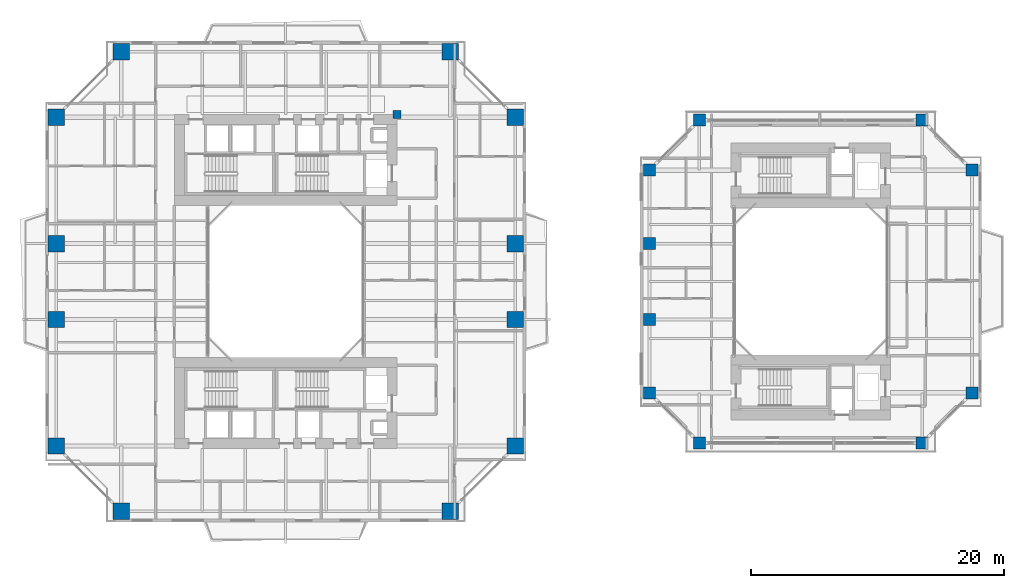
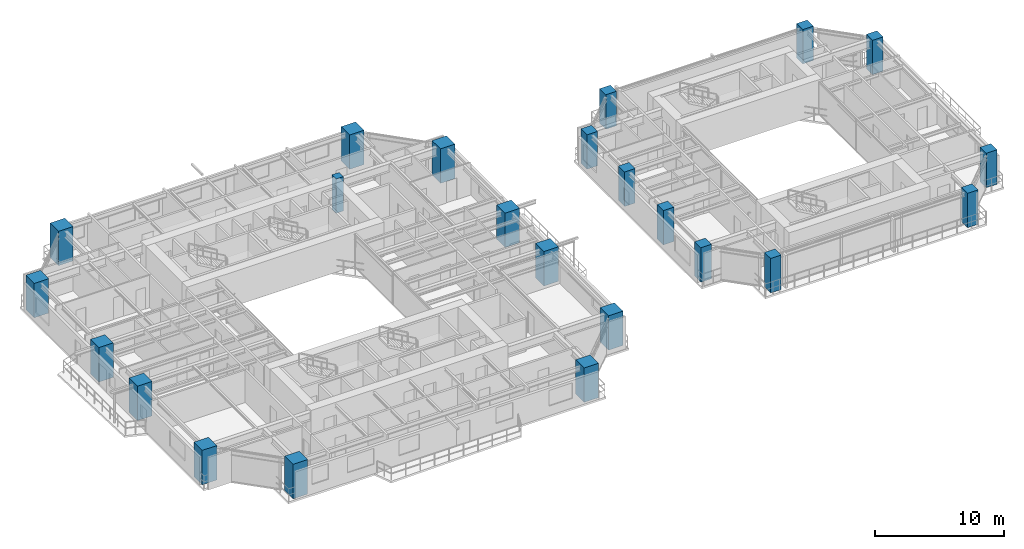
# One storey, part 1 of 23: 23 columns.
"""IFC4 building model written with IfcOpenShell, lengths in metres."""

from ifc_helpers import new_model, si_unit, direction, frame, origin, origin_2d, place, context, subcontext, project, spatial, rectangle, extrude, source, transform, mapped, material, material_profile, profile_set, type_object, element, save


model = new_model("IFC4")

# Units and contexts
model_context = context("Model", 3, precision=1e-05, world=origin(), true_north=direction((0.0, 1.0)))
body_context = subcontext(model_context, "Body", "Model", "MODEL_VIEW")
ifc_project = project(units=[si_unit("LENGTHUNIT", "METRE"), si_unit("AREAUNIT", "SQUARE_METRE"), si_unit("VOLUMEUNIT", "CUBIC_METRE"), si_unit("PLANEANGLEUNIT", "RADIAN"), si_unit("MASSUNIT", "GRAM", prefix="KILO"), si_unit("THERMODYNAMICTEMPERATUREUNIT", "KELVIN"), si_unit("POWERUNIT", "WATT")], contexts=[model_context])

# Site, building, storey
site_placement = place(None, origin())
site = spatial("IfcSite", under=ifc_project, at=site_placement, CompositionType="ELEMENT")
building_placement = place(site_placement, origin())
building = spatial("IfcBuilding", under=site, at=building_placement, Name="Qiaomeng Ring Towers", CompositionType="ELEMENT")
storey_placement = place(building_placement, frame((0.0, 0.0, 39.25)))
storey = spatial("IfcBuildingStorey", under=building, at=storey_placement, Name="L10", CompositionType="ELEMENT", Elevation=39.25)

# Columns
ifc_material_1 = material(Name="Concrete C50", Category="concrete")
ifc_material_profile_1 = material_profile(ifc_material_1, rectangle(XDim=0.64990234375, YDim=0.64990234375, at=origin_2d()), Name="RC COL 650x650")
ifc_profile_set_1 = profile_set([ifc_material_profile_1], Name="Concrete C50")
column_type_1 = type_object("IfcColumnType", Name="STR-PIL-650", PredefinedType="PILASTER", material=ifc_profile_set_1)
shared_shape_1 = source(origin(), body_context, "Body", "SweptSolid", [
    extrude(rectangle(XDim=0.64990234375, YDim=0.64990234375, at=origin_2d()), origin(), (0.0, 0.0, 1.0), 3.25),
])
column_placement = place(storey_placement, frame((27.800048828125, 36.199951171875, 0.0), z_axis=(0.0, 0.0, 1.0), x_axis=(1.0, 0.0, 0.0)))
element("IfcColumn", 1, at=column_placement, inside=storey, type_object=column_type_1, Name="L10 column STR-PIL-L10-N", PredefinedType="PILASTER", context=body_context, shape_type="MappedRepresentation", body=[
    mapped(shared_shape_1, transform((0.0, 0.0, 0.0), x_axis=(1.0, 0.0, 0.0), y_axis=(0.0, 1.0, 0.0), z_axis=(0.0, 0.0, 1.0), scale=1.0)),
])
ifc_material_2 = material(Name="Concrete C60", Category="concrete")
ifc_material_profile_2 = material_profile(ifc_material_2, rectangle(XDim=1.300048828125, YDim=1.300048828125, at=origin_2d()), Name="RC COL 1300x1300")
ifc_profile_set_2 = profile_set([ifc_material_profile_2], Name="Concrete C60")
column_type_2 = type_object("IfcColumnType", Name="STR-COL-1300", PredefinedType="COLUMN", material=ifc_profile_set_2)
shared_shape_2 = source(origin(), body_context, "Body", "SweptSolid", [
    extrude(rectangle(XDim=1.300048828125, YDim=1.300048828125, at=origin_2d()), origin(), (0.0, 0.0, 1.0), 3.25),
])
for number, where, z_axis, x_axis, name in (
    (2, (6.0, 4.85009765625, 0.0), (0.0, 0.0, 1.0), (1.0, 0.0, 0.0), "L10 column STR-COL-L10-T1-S1"),
    (3, (32.0, 4.85009765625, 0.0), (0.0, 0.0, 1.0), (1.0, 0.0, 0.0), "L10 column STR-COL-L10-T1-S2"),
    (4, (37.14990234375, 10.0, 0.0), (0.0, 0.0, 1.0), (1.0, 0.0, 0.0), "L10 column STR-COL-L10-T1-E1"),
    (5, (37.14990234375, 20.0, 0.0), (0.0, 0.0, 1.0), (1.0, 0.0, 0.0), "L10 column STR-COL-L10-T1-E2"),
    (6, (37.14990234375, 26.0, 0.0), (0.0, 0.0, 1.0), (1.0, 0.0, 0.0), "L10 column STR-COL-L10-T1-E3"),
    (7, (37.14990234375, 36.0, 0.0), (0.0, 0.0, 1.0), (1.0, 0.0, 0.0), "L10 column STR-COL-L10-T1-E4"),
    (8, (32.0, 41.14990234375, 0.0), (0.0, 0.0, 1.0), (1.0, 0.0, 0.0), "L10 column STR-COL-L10-T1-N2"),
    (9, (6.0, 41.14990234375, 0.0), (0.0, 0.0, 1.0), (1.0, 0.0, 0.0), "L10 column STR-COL-L10-T1-N1"),
    (10, (0.85009765625, 36.0, 0.0), (0.0, 0.0, 1.0), (1.0, 0.0, 0.0), "L10 column STR-COL-L10-T1-W4"),
    (11, (0.85009765625, 26.0, 0.0), (0.0, 0.0, 1.0), (1.0, 0.0, 0.0), "L10 column STR-COL-L10-T1-W3"),
    (12, (0.85009765625, 20.0, 0.0), (0.0, 0.0, 1.0), (1.0, 0.0, 0.0), "L10 column STR-COL-L10-T1-W2"),
    (13, (0.85009765625, 10.0, 0.0), (0.0, 0.0, 1.0), (1.0, 0.0, 0.0), "L10 column STR-COL-L10-T1-W1"),
):
    element("IfcColumn", number, at=place(storey_placement, frame(where, z_axis=z_axis, x_axis=x_axis)), inside=storey, type_object=column_type_2, Name=name, PredefinedType="COLUMN", context=body_context, shape_type="MappedRepresentation", body=[
        mapped(shared_shape_2, transform((0.0, 0.0, 0.0), x_axis=(1.0, 0.0, 0.0), y_axis=(0.0, 1.0, 0.0), z_axis=(0.0, 0.0, 1.0), scale=1.0)),
    ])
ifc_material_profile_3 = material_profile(ifc_material_2, rectangle(XDim=0.949951171875, YDim=0.949951171875, at=origin_2d()), Name="RC COL 950x950")
ifc_profile_set_3 = profile_set([ifc_material_profile_3], Name="Concrete C60")
column_type_3 = type_object("IfcColumnType", Name="STR-COL-950-C60", PredefinedType="COLUMN", material=ifc_profile_set_3)
shared_shape_3 = source(origin(), body_context, "Body", "SweptSolid", [
    extrude(rectangle(XDim=0.949951171875, YDim=0.949951171875, at=origin_2d()), origin(), (0.0, 0.0, 1.0), 3.25),
])
for number, where, z_axis, x_axis, name in (
    (14, (51.699951171875, 10.25, 0.0), (0.0, 0.0, 1.0), (1.0, 0.0, 0.0), "L10 column STR-COL-L10-T2-S1"),
    (15, (69.300048828125, 10.25, 0.0), (0.0, 0.0, 1.0), (1.0, 0.0, 0.0), "L10 column STR-COL-L10-T2-S2"),
    (16, (73.25, 14.199951171875, 0.0), (0.0, 0.0, 1.0), (1.0, 0.0, 0.0), "L10 column STR-COL-L10-T2-E1"),
    (17, (73.25, 31.800048828125, 0.0), (0.0, 0.0, 1.0), (1.0, 0.0, 0.0), "L10 column STR-COL-L10-T2-E2"),
    (18, (69.300048828125, 35.75, 0.0), (0.0, 0.0, 1.0), (1.0, 0.0, 0.0), "L10 column STR-COL-L10-T2-N2"),
    (19, (51.699951171875, 35.75, 0.0), (0.0, 0.0, 1.0), (1.0, 0.0, 0.0), "L10 column STR-COL-L10-T2-N1"),
    (20, (47.75, 14.199951171875, 0.0), (0.0, 0.0, 1.0), (1.0, 0.0, 0.0), "L10 column STR-COL-L10-T2-W1"),
    (21, (47.75, 20.0, 0.0), (0.0, 0.0, 1.0), (1.0, 0.0, 0.0), "L10 column STR-COL-L10-T2-W2"),
    (22, (47.75, 26.0, 0.0), (0.0, 0.0, 1.0), (1.0, 0.0, 0.0), "L10 column STR-COL-L10-T2-W3"),
    (23, (47.75, 31.800048828125, 0.0), (0.0, 0.0, 1.0), (1.0, 0.0, 0.0), "L10 column STR-COL-L10-T2-W4"),
):
    element("IfcColumn", number, at=place(storey_placement, frame(where, z_axis=z_axis, x_axis=x_axis)), inside=storey, type_object=column_type_3, Name=name, PredefinedType="COLUMN", context=body_context, shape_type="MappedRepresentation", body=[
        mapped(shared_shape_3, transform((0.0, 0.0, 0.0), x_axis=(1.0, 0.0, 0.0), y_axis=(0.0, 1.0, 0.0), z_axis=(0.0, 0.0, 1.0), scale=1.0)),
    ])

save(model, "model.ifc")
